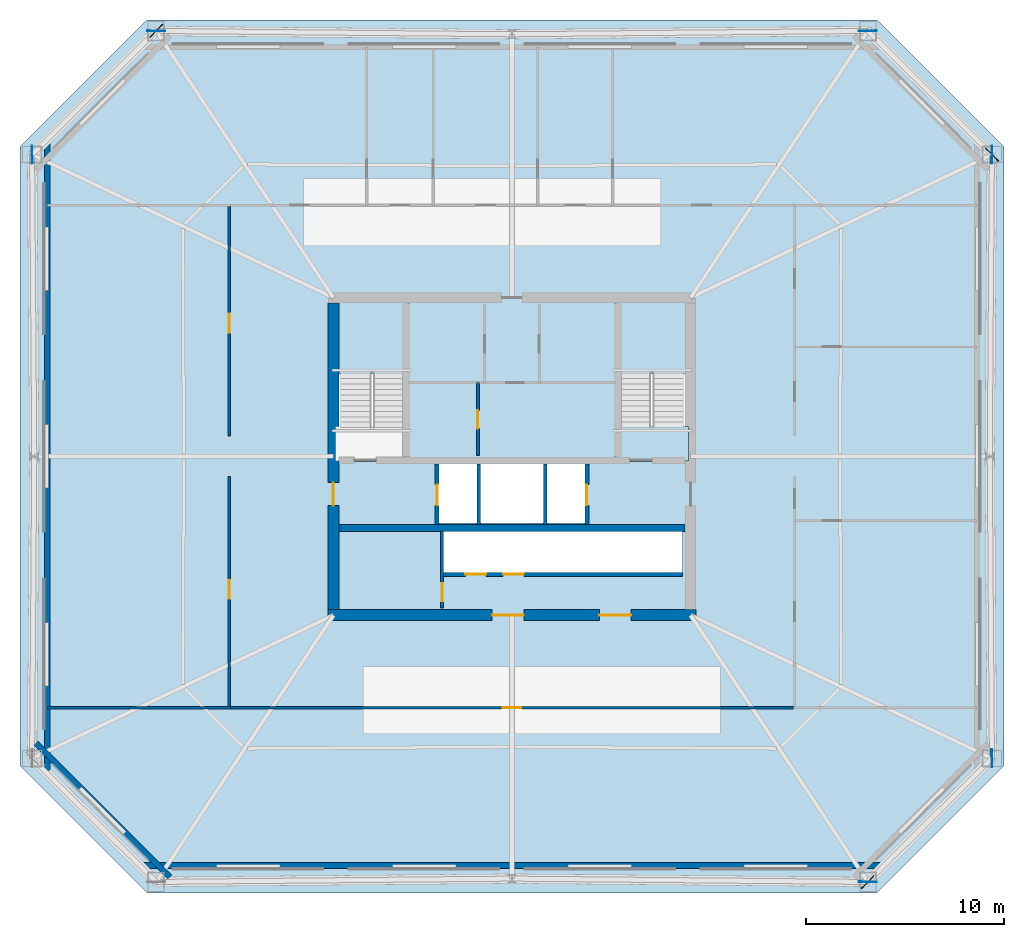
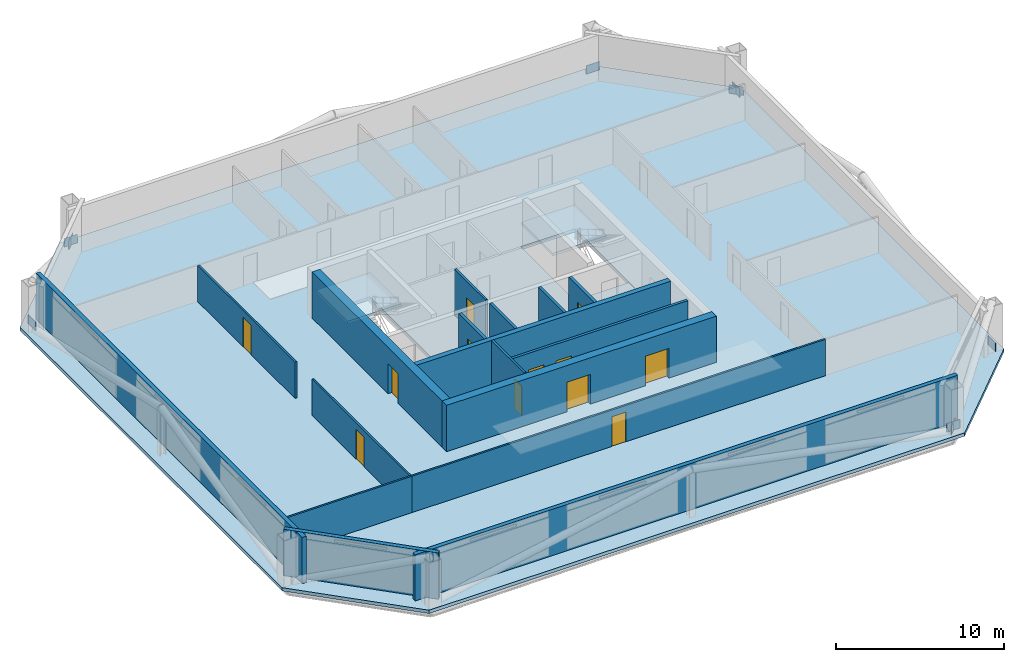
# One storey, part 2 of 6: 17 walls, 12 doors, 9 plates, 4 slabs, 12 openings, 2 elements without a shape of their own.
"""IFC4 building model written with IfcOpenShell, lengths in metres."""

import ifcopenshell
import ifcopenshell.guid

model = None  # the IFC model being written
_history = None  # IfcOwnerHistory: only IFC2X3 demands one
_inside = {}  # id of a spatial element -> (the spatial element, [elements in it])
_under = {}  # id of a project, library or spatial element -> (it, [spatial elements below it])
_declared = {}  # id of a project -> (the project, [libraries it declares])
_typed = {}  # id of a type object -> (the type object, [elements of that type])
_made_of = {}  # id of a material, layer set ... -> (it, [elements and type objects made of it])


def new_model(schema):
    """Start an empty IFC model of exactly this schema.

    Asked for "IFC4X3", IfcOpenShell would pick the latest addendum, in which some entities
    have other attributes; the version numbers below select the first issue.
    IFC2X3 requires an IfcOwnerHistory on every rooted entity: one is made here for all.
    """
    global model, _history
    if schema == "IFC4X3":
        model = ifcopenshell.file(schema_version=(4, 3, 0, 0))
    else:
        model = ifcopenshell.file(schema=schema)
    _inside.clear()
    _under.clear()
    _declared.clear()
    _typed.clear()
    _made_of.clear()
    _history = None
    if model.schema == "IFC2X3":
        org = make("IfcOrganization", Name="unknown")
        user = make(
            "IfcPersonAndOrganization",
            ThePerson=make("IfcPerson", FamilyName="unknown"),
            TheOrganization=org,
        )
        app = make(
            "IfcApplication",
            ApplicationDeveloper=org,
            Version="unknown",
            ApplicationFullName="unknown",
            ApplicationIdentifier="unknown",
        )
        _history = make(
            "IfcOwnerHistory",
            OwningUser=user,
            OwningApplication=app,
            ChangeAction="ADDED",
            CreationDate=0,
        )
    return model


def make(cls, **values):
    """One entity of the class cls with the attributes given. An attribute that is None is left unset."""
    return model.create_entity(
        cls, **{name: value for name, value in values.items() if value is not None}
    )


def rooted(cls, **values):
    """An entity with a GlobalId (a new one), such as an element, a storey or a relation."""
    return make(cls, GlobalId=ifcopenshell.guid.new(), OwnerHistory=_history, **values)


def si_unit(unit_type, name, prefix=None):
    """IfcSIUnit, for example si_unit("LENGTHUNIT", "METRE", prefix="MILLI")."""
    return make("IfcSIUnit", UnitType=unit_type, Prefix=prefix, Name=name)


def assignment(units):
    """IfcUnitAssignment: the units of a project."""
    return None if units is None else make("IfcUnitAssignment", Units=units)


def point(xyz):
    """IfcCartesianPoint."""
    return None if xyz is None else make("IfcCartesianPoint", Coordinates=xyz)


def direction(xyz):
    """IfcDirection."""
    return None if xyz is None else make("IfcDirection", DirectionRatios=xyz)


def frame(location, z_axis=None, x_axis=None):
    """IfcAxis2Placement3D, a coordinate frame: its origin and axes. An axis left out is left unset."""
    return make(
        "IfcAxis2Placement3D",
        Location=point(location),
        Axis=direction(z_axis),
        RefDirection=direction(x_axis),
    )


def frame_2d(location, x_axis=None):
    """IfcAxis2Placement2D, a coordinate frame in the plane: its origin and x axis."""
    return make(
        "IfcAxis2Placement2D", Location=point(location), RefDirection=direction(x_axis)
    )


def origin():
    """The frame at (0, 0, 0) with its axes left unset."""
    return frame((0.0, 0.0, 0.0))


def origin_2d():
    """The frame at (0, 0) in the plane with its x axis left unset."""
    return frame_2d((0.0, 0.0))


def place(relative_to, where):
    """IfcLocalPlacement: puts the frame where relative to a parent placement (None: the world)."""
    return make(
        "IfcLocalPlacement", PlacementRelTo=relative_to, RelativePlacement=where
    )


def context(
    kind, dimensions, precision=None, world=None, true_north=None, identifier=None
):
    """IfcGeometricRepresentationContext, for example the 3D "Model" context."""
    return make(
        "IfcGeometricRepresentationContext",
        ContextIdentifier=identifier,
        ContextType=kind,
        CoordinateSpaceDimension=dimensions,
        Precision=precision,
        WorldCoordinateSystem=world,
        TrueNorth=true_north,
    )


def subcontext(parent, identifier, kind, view, scale=None):
    """IfcGeometricRepresentationSubContext, for example "Body" below "Model"."""
    return make(
        "IfcGeometricRepresentationSubContext",
        ContextIdentifier=identifier,
        ContextType=kind,
        ParentContext=parent,
        TargetScale=scale,
        TargetView=view,
    )


def project(units=None, contexts=None):
    """IfcProject with its units and contexts."""
    return rooted(
        "IfcProject",
        Name="project",
        RepresentationContexts=contexts,
        UnitsInContext=assignment(units),
    )


def spatial(cls, under=None, at=None, **own):
    """A site, building, storey or space (cls), placed at a placement, below another one or the project."""
    s = rooted(cls, ObjectPlacement=at, **own)
    if under is not None:
        _under.setdefault(under.id(), (under, []))[1].append(s)
    return s


def polyline(points):
    """IfcPolyline through the points."""
    return make("IfcPolyline", Points=[point(p) for p in points])


def profile(cls, at=None, kind="AREA", **sizes):
    """A parametric profile (cls). Its sizes go by their IFC names, for example OverallWidth=200.0."""
    return make(cls, ProfileType=kind, Position=at, **sizes)


def rectangle(**sizes):
    """IfcRectangleProfileDef."""
    return profile("IfcRectangleProfileDef", **sizes)


def outline(outer, holes=None, kind="AREA"):
    """IfcArbitraryClosedProfileDef: a profile drawn as a closed curve; with holes, ...WithVoids."""
    if holes is None:
        return make("IfcArbitraryClosedProfileDef", ProfileType=kind, OuterCurve=outer)
    return make(
        "IfcArbitraryProfileDefWithVoids",
        ProfileType=kind,
        OuterCurve=outer,
        InnerCurves=holes,
    )


def extrude(swept, where, along, depth):
    """IfcExtrudedAreaSolid: the profile swept, set in the frame where, extruded along a direction by depth."""
    return make(
        "IfcExtrudedAreaSolid",
        SweptArea=swept,
        Position=where,
        ExtrudedDirection=direction(along),
        Depth=depth,
    )


def shape(context_of_items, identifier, shape_type, items):
    """IfcShapeRepresentation: the items that make up one representation, for example the "Body"."""
    return make(
        "IfcShapeRepresentation",
        ContextOfItems=context_of_items,
        RepresentationIdentifier=identifier,
        RepresentationType=shape_type,
        Items=items,
    )


def material(Name=None, Category=None):
    """IfcMaterial."""
    return make("IfcMaterial", Name=Name, Category=Category)


def layer(
    of_material, thickness, ventilated=None, Name=None, Category=None, Priority=None
):
    """IfcMaterialLayer: one layer of a wall or slab, of a material (None: an air gap)."""
    return make(
        "IfcMaterialLayer",
        Material=of_material,
        LayerThickness=thickness,
        IsVentilated=ventilated,
        Name=Name,
        Category=Category,
        Priority=Priority,
    )


def layer_set(layers, Name=None):
    """IfcMaterialLayerSet."""
    return make("IfcMaterialLayerSet", MaterialLayers=layers, LayerSetName=Name)


def made_of(thing, what):
    """Note that an element or type object is made of a material, layer set ...; save() writes the relation."""
    if what is not None:
        _made_of.setdefault(what.id(), (what, []))[1].append(thing)
    return thing


def type_object(cls, material=None, **own):
    """A type object (cls), such as IfcWallType, which elements share."""
    return made_of(rooted(cls, **own), material)


def element(
    cls,
    number,
    at=None,
    inside=None,
    cuts=None,
    type_object=None,
    material=None,
    context=None,
    identifier="Body",
    shape_type=None,
    held_by="IfcProductDefinitionShape",
    body=None,
    shapes=None,
    **own,
):
    """One element of the class cls, such as IfcWall. Its Tag is "e" and its number.

    at: its placement. inside: the storey or other place that contains it. cuts: it is an
    opening in that element (IfcRelVoidsElement). A single representation is given by context,
    identifier, shape_type and body (its items); several are given by shapes. held_by: the class
    of the entity that holds the representations. save() writes the other relations.
    """
    e = rooted(cls, Tag="e%d" % number, ObjectPlacement=at, **own)
    if body is not None:
        shapes = [shape(context, identifier, shape_type, body)]
    if shapes is not None:
        e.Representation = make(held_by, Representations=shapes)
    if inside is not None:
        _inside.setdefault(inside.id(), (inside, []))[1].append(e)
    if cuts is not None:
        rooted(
            "IfcRelVoidsElement", RelatingBuildingElement=cuts, RelatedOpeningElement=e
        )
    if type_object is not None:
        _typed.setdefault(type_object.id(), (type_object, []))[1].append(e)
    return made_of(e, material)


def fill(opening, filler):
    """IfcRelFillsElement: the door or window that sits in an opening."""
    return rooted(
        "IfcRelFillsElement",
        RelatingOpeningElement=opening,
        RelatedBuildingElement=filler,
    )


def aggregate(whole, parts):
    """IfcRelAggregates: a whole, such as a stair, and the parts it consists of."""
    return rooted("IfcRelAggregates", RelatingObject=whole, RelatedObjects=parts)


def save(model, path):
    """Write the relations noted so far, then the file.

    IfcRelAggregates (storeys below a building ...), IfcRelContainedInSpatialStructure (elements
    in a storey), IfcRelDefinesByType, IfcRelAssociatesMaterial and IfcRelDeclares: one each for
    every whole, place, type object, material and project.
    """
    for whole, parts in _under.values():
        aggregate(whole, parts)
    for where, things in _inside.values():
        rooted(
            "IfcRelContainedInSpatialStructure",
            RelatedElements=things,
            RelatingStructure=where,
        )
    for kind, things in _typed.values():
        rooted("IfcRelDefinesByType", RelatedObjects=things, RelatingType=kind)
    for what, things in _made_of.values():
        rooted("IfcRelAssociatesMaterial", RelatedObjects=things, RelatingMaterial=what)
    for by, libraries in _declared.values():
        rooted("IfcRelDeclares", RelatingContext=by, RelatedDefinitions=libraries)
    model.write(path)


model = new_model("IFC4")

# Units and contexts
model_context = context("Model", 3, precision=1e-05, world=origin(), true_north=direction((0.0, 1.0)))
body_context = subcontext(model_context, "Body", "Model", "MODEL_VIEW")
ifc_project = project(units=[si_unit("LENGTHUNIT", "METRE"), si_unit("AREAUNIT", "SQUARE_METRE"), si_unit("VOLUMEUNIT", "CUBIC_METRE"), si_unit("PLANEANGLEUNIT", "RADIAN"), si_unit("MASSUNIT", "GRAM", prefix="KILO")], contexts=[model_context])

# Site, building, storey
site_placement = place(None, origin())
site = spatial("IfcSite", under=ifc_project, at=site_placement, CompositionType="ELEMENT")
building_placement = place(site_placement, origin())
building = spatial("IfcBuilding", under=site, at=building_placement, Name="Caelvoria Tower", CompositionType="ELEMENT")
storey_placement = place(building_placement, frame((0.0, 0.0, 160.0)))
storey = spatial("IfcBuildingStorey", under=building, at=storey_placement, Name="L42", CompositionType="ELEMENT", Elevation=160.0)

# Plates
ifc_material_1 = material(Name="Structural Steel ASTM A572 Gr.50", Category="steel")
ifc_layer_1 = layer(ifc_material_1, 0.0400390625, Name="Structural Steel ASTM A572 Gr.50")
ifc_layer_set_1 = layer_set([ifc_layer_1], Name="Megaframe Node Gusset Plate 900x600x40 - Structural Steel ASTM A572 Gr.50")
plate_type = type_object("IfcPlateType", Name="Megaframe Node Gusset Plate 900x600x40", PredefinedType="USERDEFINED", material=ifc_layer_set_1)
for number, where, z_axis, x_axis, name in (
    (1, (63.93798828125, 10.55224609375, 0.02001953125), (0.0, 0.0, 1.0), (0.70831273368, 0.705898768456, 0.0), "Chamfer Mega Brace Gusset L42 SE"),
    (2, (70.1904296875, 47.216552734375, 0.02001953125), (0.0, 0.0, 1.0), (-0.70831273368, 0.705898768456, 0.0), "Chamfer Mega Brace Gusset L42 NE"),
    (3, (28.06201171875, 53.44775390625, 0.02001953125), (0.0, 0.0, 1.0), (-0.70831273368, -0.705898768456, 0.0), "Chamfer Mega Brace Gusset L42 NW"),
    (4, (63.93798828125, 10.55224609375, 0.050048828125), (0.0, 0.0, 1.0), (-0.999956307921, 0.009347847329, 0.0), "Megaframe Node Gusset Plate ND-01"),
    (5, (70.1904296875, 16.783447265625, 0.050048828125), (0.0, 0.0, 1.0), (-0.00726225118, 0.999973629506, 0.0), "Megaframe Node Gusset Plate ND-01"),
    (6, (70.1904296875, 47.216552734375, 0.050048828125), (0.0, 0.0, 1.0), (-0.00726225118, -0.999973629506, 0.0), "Megaframe Node Gusset Plate ND-01"),
    (7, (63.93798828125, 53.44775390625, 0.050048828125), (0.0, 0.0, 1.0), (-0.999956307921, -0.009347847329, 0.0), "Megaframe Node Gusset Plate ND-01"),
    (8, (28.06201171875, 53.44775390625, 0.050048828125), (0.0, 0.0, 1.0), (0.999956307921, -0.009347847329, 0.0), "Megaframe Node Gusset Plate ND-01"),
    (9, (21.8095703125, 47.216552734375, 0.050048828125), (0.0, 0.0, 1.0), (0.00726225118, -0.999973629506, 0.0), "Megaframe Node Gusset Plate ND-01"),
):
    element("IfcPlate", number, at=place(storey_placement, frame(where, z_axis=z_axis, x_axis=x_axis)), inside=storey, type_object=plate_type, Name=name, ObjectType="GUSSET_PLATE", PredefinedType="USERDEFINED", context=body_context, shape_type="SweptSolid", body=[
        extrude(rectangle(XDim=0.89990234375, YDim=0.0400390625, at=origin_2d()), origin(), (0.0, 0.0, 1.0), 0.60009765625),
    ])

# Stair, slab
ifc_material_2 = material(Name="Concrete C40/50", Category="concrete")
stair_type = type_object("IfcStairType", Name="Core Smokeproof Dogleg Stair Concrete C40/50", PredefinedType="HALF_TURN_STAIR", material=ifc_material_2)
stair_1_placement = place(storey_placement, origin())
stair_1 = element("IfcStair", 10, at=stair_1_placement, inside=storey, type_object=stair_type, Name="ST-01 Smokeproof Exit Stair L42", PredefinedType="HALF_TURN_STAIR")
ifc_layer_2 = layer(ifc_material_2, 0.199951171875, Name="Concrete C40/50")
ifc_layer_set_2 = layer_set([ifc_layer_2], Name="Stair Half and Floor Landing Slab 200 Concrete C40/50 - Concrete C40/50")
slab_type_1 = type_object("IfcSlabType", Name="Stair Half and Floor Landing Slab 200 Concrete C40/50", PredefinedType="LANDING", material=ifc_layer_set_2)
slab_1_placement = place(storey_placement, frame((0.0, 0.0, 1.60009765625)))
slab_1 = element("IfcSlab", 11, at=slab_1_placement, type_object=slab_type_1, Name="ST-01 landing 2", PredefinedType="LANDING", context=body_context, shape_type="SweptSolid", body=[
    extrude(outline(polyline([(37.10009765625, 36.14990234375), (40.800048828125, 36.14990234375), (40.800048828125, 39.89990234375), (37.10009765625, 39.89990234375), (37.10009765625, 36.14990234375)])), origin(), (0.0, 0.0, 1.0), 0.199951171875),
])
aggregate(stair_1, [slab_1])

# Stair, slabs
stair_2_placement = place(storey_placement, origin())
stair_2 = element("IfcStair", 12, at=stair_2_placement, inside=storey, type_object=stair_type, Name="ST-02 Smokeproof Exit Stair L42", PredefinedType="HALF_TURN_STAIR")
slab_2_placement = place(storey_placement, frame((0.0, 0.0, -0.199951171875)))
slab_2 = element("IfcSlab", 13, at=slab_2_placement, type_object=slab_type_1, Name="ST-02 landing 1", PredefinedType="LANDING", context=body_context, shape_type="SweptSolid", body=[
    extrude(outline(polyline([(51.199951171875, 31.77001953125), (54.89990234375, 31.77001953125), (54.89990234375, 33.5), (51.199951171875, 33.5), (51.199951171875, 31.77001953125)])), origin(), (0.0, 0.0, 1.0), 0.199951171875),
])
slab_3_placement = place(storey_placement, frame((0.0, 0.0, 1.60009765625)))
slab_3 = element("IfcSlab", 14, at=slab_3_placement, type_object=slab_type_1, Name="ST-02 landing 2", PredefinedType="LANDING", context=body_context, shape_type="SweptSolid", body=[
    extrude(outline(polyline([(51.199951171875, 36.14990234375), (54.89990234375, 36.14990234375), (54.89990234375, 39.89990234375), (51.199951171875, 39.89990234375), (51.199951171875, 36.14990234375)])), origin(), (0.0, 0.0, 1.0), 0.199951171875),
])
aggregate(stair_2, [slab_2, slab_3])

# Slab
ifc_layer_3 = layer(ifc_material_2, 0.239990234375, Name="Concrete C40/50")
ifc_layer_set_3 = layer_set([ifc_layer_3], Name="Tower Composite Office Slab 240 - Concrete C40/50")
slab_type_2 = type_object("IfcSlabType", Name="Tower Composite Office Slab 240", PredefinedType="FLOOR", material=ifc_layer_set_3)
slab_4_placement = place(storey_placement, frame((0.0, 0.0, -0.239990234375)))
element("IfcSlab", 15, at=slab_4_placement, inside=storey, type_object=slab_type_2, Name="Level L42 Structural Floor Slab", PredefinedType="FLOOR", context=body_context, shape_type="SweptSolid", body=[
    extrude(outline(polyline([(27.60009765625, 10.0), (64.39990234375, 10.0), (70.800048828125, 16.39990234375), (70.800048828125, 47.60009765625), (64.39990234375, 54.0), (27.60009765625, 54.0), (21.199951171875, 47.60009765625), (21.199951171875, 16.39990234375), (27.60009765625, 10.0)]), holes=[polyline([(37.080078125, 31.75), (40.820068359375, 31.75), (40.820068359375, 39.919921875), (37.080078125, 39.919921875), (37.080078125, 31.75)]), polyline([(51.179931640625, 31.75), (54.919921875, 31.75), (54.919921875, 39.919921875), (51.179931640625, 39.919921875), (51.179931640625, 31.75)]), polyline([(42.25, 28.64990234375), (49.75, 28.64990234375), (49.75, 31.800048828125), (42.25, 31.800048828125), (42.25, 28.64990234375)]), polyline([(42.550048828125, 26.14990234375), (54.60009765625, 26.14990234375), (54.60009765625, 28.25), (42.550048828125, 28.25), (42.550048828125, 26.14990234375)])]), origin(), (0.0, 0.0, 1.0), 0.239990234375),
])

# Wall
ifc_material_3 = material(Name="Concrete C50/60", Category="concrete")
ifc_layer_4 = layer(ifc_material_3, 0.35009765625, Name="Concrete C50/60")
ifc_layer_set_4 = layer_set([ifc_layer_4], Name="Core Internal Shear Wall 350 - Concrete C50/60")
wall_type_1 = type_object("IfcWallType", Name="Core Internal Shear Wall 350", PredefinedType="SHEAR", material=ifc_layer_set_4)
wall_1_placement = place(storey_placement, frame((37.27490234375, 28.39990234375, 0.0), z_axis=(0.0, 0.0, 1.0), x_axis=(1.0, 0.0, 0.0)))
element("IfcWall", 16, at=wall_1_placement, inside=storey, type_object=wall_type_1, Name="Core Shear Wall L42 M2", PredefinedType="SHEAR", context=body_context, shape_type="SweptSolid", body=[
    extrude(rectangle(XDim=17.4501953125, YDim=0.35009765625, at=frame_2d((8.72509765625, 0.0))), origin(), (0.0, 0.0, 1.0), 3.360107421875),
])

# Wall, opening, door
ifc_material_4 = material(Name="Double Gypsum Board on Steel Stud", Category="steel")
ifc_layer_5 = layer(ifc_material_4, 0.14990234375, Name="Double Gypsum Board on Steel Stud")
ifc_layer_set_5 = layer_set([ifc_layer_5], Name="Core Service Acoustic Partition Wall 150 - Double Gypsum Board on Steel Stud")
wall_type_2 = type_object("IfcWallType", Name="Core Service Acoustic Partition Wall 150", PredefinedType="PARTITIONING", material=ifc_layer_set_5)
wall_2_placement = place(storey_placement, frame((44.280029296875, 32.050048828125, 0.0), z_axis=(0.0, 0.0, 1.0), x_axis=(0.0, 1.0, 0.0)))
wall_2 = element("IfcWall", 17, at=wall_2_placement, inside=storey, type_object=wall_type_2, Name="Interior Partition IW-L42-C0M", PredefinedType="PARTITIONING", context=body_context, shape_type="SweptSolid", body=[
    extrude(rectangle(XDim=3.669921875, YDim=0.14990234375, at=frame_2d((1.8349609375, 0.0))), origin(), (0.0, 0.0, 1.0), 3.360107421875),
])
opening_1_placement = place(wall_2_placement, frame((1.35009765625, 0.0, 0.0)))
opening_1 = element("IfcOpeningElement", 18, at=opening_1_placement, cuts=wall_2, Name="Opening ID-07", PredefinedType="OPENING", context=body_context, shape_type="SweptSolid", body=[
    extrude(rectangle(XDim=0.919921875, YDim=2.14990234375, at=frame_2d((0.4599609375, 1.074951171875))), frame((0.0, 0.0849609375, 0.0), z_axis=(0.0, -1.0, 0.0), x_axis=(1.0, 0.0, 0.0)), (0.0, 0.0, 1.0), 0.169921875),
])
ifc_material_5 = material(Name="Engineered Andean Oak Accessible Door", Category="wood")
door_type_1 = type_object("IfcDoorType", Name="Accessible WC Door 950x2150", OperationType="NOTDEFINED", PredefinedType="DOOR", material=ifc_material_5)
door_1_placement = place(opening_1_placement, origin())
door_1 = element("IfcDoor", 19, at=door_1_placement, inside=storey, type_object=door_type_1, Name="Interior Door DR-L42-C05", OperationType="SINGLE_SWING_LEFT", OverallHeight=2.14990234375, OverallWidth=0.919921875, PredefinedType="DOOR", context=body_context, shape_type="SweptSolid", body=[
    extrude(rectangle(XDim=0.919921875, YDim=2.14990234375, at=frame_2d((0.4599609375, 1.074951171875))), frame((0.0, 0.02490234375, 0.0), z_axis=(0.0, -1.0, 0.0), x_axis=(1.0, 0.0, 0.0)), (0.0, 0.0, 1.0), 0.050048828125),
])
fill(opening_1, door_1)

wall_3_placement = place(storey_placement, frame((42.47998046875, 24.35009765625, 0.0), z_axis=(0.0, 0.0, 1.0), x_axis=(0.0, 1.0, 0.0)))
wall_3 = element("IfcWall", 20, at=wall_3_placement, inside=storey, type_object=wall_type_2, Name="Interior Partition IW-L42-RECL1E", PredefinedType="PARTITIONING", context=body_context, shape_type="SweptSolid", body=[
    extrude(rectangle(XDim=3.89990234375, YDim=0.14990234375, at=frame_2d((1.949951171875, 0.0))), origin(), (0.0, 0.0, 1.0), 3.360107421875),
])
opening_2_placement = place(wall_3_placement, frame((0.35009765625, 0.0, 0.0)))
opening_2 = element("IfcOpeningElement", 21, at=opening_2_placement, cuts=wall_3, Name="Opening ID-04", PredefinedType="OPENING", context=body_context, shape_type="SweptSolid", body=[
    extrude(rectangle(XDim=0.89990234375, YDim=2.14990234375, at=frame_2d((0.449951171875, 1.074951171875))), frame((0.0, 0.0849609375, 0.0), z_axis=(0.0, -1.0, 0.0), x_axis=(1.0, 0.0, 0.0)), (0.0, 0.0, 1.0), 0.169921875),
])
ifc_material_6 = material(Name="Acoustic Timber Fire Door", Category="wood")
door_type_2 = type_object("IfcDoorType", Name="Fire Door FD30S 900x2150", OperationType="NOTDEFINED", PredefinedType="DOOR", material=ifc_material_6)
door_2_placement = place(opening_2_placement, origin())
door_2 = element("IfcDoor", 22, at=door_2_placement, inside=storey, type_object=door_type_2, Name="Interior Door DR-L42-RECL1", OperationType="SINGLE_SWING_LEFT", OverallHeight=2.14990234375, OverallWidth=0.89990234375, PredefinedType="DOOR", context=body_context, shape_type="SweptSolid", body=[
    extrude(rectangle(XDim=0.89990234375, YDim=2.14990234375, at=frame_2d((0.449951171875, 1.074951171875))), frame((0.0, 0.02490234375, 0.0), z_axis=(0.0, -1.0, 0.0), x_axis=(1.0, 0.0, 0.0)), (0.0, 0.0, 1.0), 0.050048828125),
])
fill(opening_2, door_2)

# Walls
ifc_material_7 = material(Name="Precast Concrete C40/50 with Bronze Cladding", Category="concrete")
ifc_layer_6 = layer(ifc_material_7, 0.280029296875, Name="Precast Concrete C40/50 with Bronze Cladding")
ifc_layer_set_6 = layer_set([ifc_layer_6], Name="Exterior Precast Concrete C40/50 Bronze-Clad Facade Wall 280 - Precast Concrete C40/50 with Bronze Cladding")
wall_type_3 = type_object("IfcWallType", Name="Exterior Precast Concrete C40/50 Bronze-Clad Facade Wall 280", PredefinedType="STANDARD", material=ifc_layer_set_6)
wall_4_placement = place(storey_placement, frame((27.360107421875, 11.3798828125, 0.0), z_axis=(0.0, 0.0, 1.0), x_axis=(1.0, 0.0, 0.0)))
element("IfcWall", 23, at=wall_4_placement, inside=storey, type_object=wall_type_3, Name="Exterior Facade Wall L42-E0", PredefinedType="STANDARD", context=body_context, shape_type="SweptSolid", body=[
    extrude(rectangle(XDim=37.27978515625, YDim=0.280029296875, at=frame_2d((18.639892578125, 0.0))), origin(), (0.0, 0.0, 1.0), 3.360107421875),
])
wall_5_placement = place(storey_placement, frame((22.580078125, 47.840087890625, 0.0), z_axis=(0.0, 0.0, 1.0), x_axis=(0.0, -1.0, 0.0)))
element("IfcWall", 24, at=wall_5_placement, inside=storey, type_object=wall_type_3, Name="Exterior Facade Wall L42-E6", PredefinedType="STANDARD", context=body_context, shape_type="SweptSolid", body=[
    extrude(rectangle(XDim=31.68017578125, YDim=0.280029296875, at=frame_2d((15.840087890625, 0.0))), origin(), (0.0, 0.0, 1.0), 3.360107421875),
])
wall_6_placement = place(storey_placement, frame((22.006103515625, 17.54541015625, 0.0), z_axis=(0.0, 0.0, 1.0), x_axis=(0.707119588888, -0.707093973253, 0.0)))
element("IfcWall", 25, at=wall_6_placement, inside=storey, type_object=wall_type_3, Name="Exterior Facade Wall L42-E7", PredefinedType="STANDARD", context=body_context, shape_type="SweptSolid", body=[
    extrude(rectangle(XDim=9.531005859375, YDim=0.280029296875, at=frame_2d((4.765625, 0.0))), origin(), (0.0, 0.0, 1.0), 3.360107421875),
])
ifc_material_8 = material(Name="Concrete Block and Fireboard Assembly", Category="concrete")
ifc_layer_7 = layer(ifc_material_8, 0.179931640625, Name="Concrete Block and Fireboard Assembly")
ifc_layer_set_7 = layer_set([ifc_layer_7], Name="Fire-Rated Hoistway Partition Wall 180 - Concrete Block and Fireboard Assembly")
wall_type_4 = type_object("IfcWallType", Name="Fire-Rated Hoistway Partition Wall 180", PredefinedType="PARTITIONING", material=ifc_layer_set_7)
for number, where, z_axis, x_axis, name in (
    (26, (44.320068359375, 28.580078125, 0.0), (0.0, 0.0, 1.0), (0.0, 1.0, 0.0), "Interior Partition IW-L42-SV1W"),
    (27, (47.679931640625, 28.580078125, 0.0), (0.0, 0.0, 1.0), (0.0, 1.0, 0.0), "Interior Partition IW-L42-SV1E"),
):
    element("IfcWall", number, at=place(storey_placement, frame(where, z_axis=z_axis, x_axis=x_axis)), inside=storey, type_object=wall_type_4, Name=name, PredefinedType="PARTITIONING", context=body_context, shape_type="SweptSolid", body=[
        extrude(rectangle(XDim=3.0400390625, YDim=0.179931640625, at=frame_2d((1.52001953125, 0.0))), origin(), (0.0, 0.0, 1.0), 3.360107421875),
    ])

# Wall, openings, doors
wall_7_placement = place(storey_placement, frame((42.550048828125, 26.050048828125, 0.0), z_axis=(0.0, 0.0, 1.0), x_axis=(1.0, 0.0, 0.0)))
wall_7 = element("IfcWall", 28, at=wall_7_placement, inside=storey, type_object=wall_type_4, Name="Interior Partition IW-L42-LFRONT", PredefinedType="PARTITIONING", context=body_context, shape_type="SweptSolid", body=[
    extrude(rectangle(XDim=12.050048828125, YDim=0.179931640625, at=frame_2d((6.02490234375, 0.0))), origin(), (0.0, 0.0, 1.0), 3.360107421875),
])
opening_3_placement = place(wall_7_placement, frame((1.10009765625, 0.0, 0.0)))
opening_3 = element("IfcOpeningElement", 29, at=opening_3_placement, cuts=wall_7, Name="Opening LD-01", PredefinedType="OPENING", context=body_context, shape_type="SweptSolid", body=[
    extrude(rectangle(XDim=1.050048828125, YDim=2.14990234375, at=frame_2d((0.52490234375, 1.074951171875))), frame((0.0, 0.099853515625, 0.0), z_axis=(0.0, -1.0, 0.0), x_axis=(1.0, 0.0, 0.0)), (0.0, 0.0, 1.0), 0.199951171875),
])
opening_4_placement = place(wall_7_placement, frame((3.0, 0.0, 0.0)))
opening_4 = element("IfcOpeningElement", 30, at=opening_4_placement, cuts=wall_7, Name="Opening LD-01", PredefinedType="OPENING", context=body_context, shape_type="SweptSolid", body=[
    extrude(rectangle(XDim=1.050048828125, YDim=2.14990234375, at=frame_2d((0.52490234375, 1.074951171875))), frame((0.0, 0.099853515625, 0.0), z_axis=(0.0, -1.0, 0.0), x_axis=(1.0, 0.0, 0.0)), (0.0, 0.0, 1.0), 0.199951171875),
])
ifc_material_9 = material(Name="Brushed Bronze Stainless Sliding Landing Door", Category="aluminium")
door_type_3 = type_object("IfcDoorType", Name="Lift Landing Sliding Door 1100x2150", OperationType="NOTDEFINED", PredefinedType="DOOR", material=ifc_material_9)
door_3_placement = place(opening_3_placement, origin())
door_3 = element("IfcDoor", 31, at=door_3_placement, inside=storey, type_object=door_type_3, Name="Interior Door LD-L42-PM1", OperationType="SLIDING_TO_LEFT", OverallHeight=2.14990234375, OverallWidth=1.050048828125, PredefinedType="DOOR", context=body_context, shape_type="SweptSolid", body=[
    extrude(rectangle(XDim=1.050048828125, YDim=2.14990234375, at=frame_2d((0.52490234375, 1.074951171875))), frame((0.0, 0.02490234375, 0.0), z_axis=(0.0, -1.0, 0.0), x_axis=(1.0, 0.0, 0.0)), (0.0, 0.0, 1.0), 0.050048828125),
])
fill(opening_3, door_3)
door_4_placement = place(opening_4_placement, origin())
door_4 = element("IfcDoor", 32, at=door_4_placement, inside=storey, type_object=door_type_3, Name="Interior Door LD-L42-PM2", OperationType="SLIDING_TO_RIGHT", OverallHeight=2.14990234375, OverallWidth=1.050048828125, PredefinedType="DOOR", context=body_context, shape_type="SweptSolid", body=[
    extrude(rectangle(XDim=1.050048828125, YDim=2.14990234375, at=frame_2d((0.52490234375, 1.074951171875))), frame((0.0, 0.02490234375, 0.0), z_axis=(0.0, -1.0, 0.0), x_axis=(1.0, 0.0, 0.0)), (0.0, 0.0, 1.0), 0.050048828125),
])
fill(opening_4, door_4)

# Wall, opening, door
ifc_layer_8 = layer(ifc_material_8, 0.199951171875, Name="Concrete Block and Fireboard Assembly")
ifc_layer_set_8 = layer_set([ifc_layer_8], Name="Fire-Rated Shaft and Core Partition Wall 200 - Concrete Block and Fireboard Assembly")
wall_type_5 = type_object("IfcWallType", Name="Fire-Rated Shaft and Core Partition Wall 200", PredefinedType="PARTITIONING", material=ifc_layer_set_8)
wall_8_placement = place(storey_placement, frame((42.219970703125, 28.580078125, 0.0), z_axis=(0.0, 0.0, 1.0), x_axis=(0.0, 1.0, 0.0)))
wall_8 = element("IfcWall", 33, at=wall_8_placement, inside=storey, type_object=wall_type_5, Name="Interior Partition IW-L42-LF1W", PredefinedType="PARTITIONING", context=body_context, shape_type="SweptSolid", body=[
    extrude(rectangle(XDim=3.0400390625, YDim=0.199951171875, at=frame_2d((1.52001953125, 0.0))), origin(), (0.0, 0.0, 1.0), 3.360107421875),
])
opening_5_placement = place(wall_8_placement, frame((0.949951171875, 0.0, 0.0)))
opening_5 = element("IfcOpeningElement", 34, at=opening_5_placement, cuts=wall_8, Name="Opening LD-01", PredefinedType="OPENING", context=body_context, shape_type="SweptSolid", body=[
    extrude(rectangle(XDim=1.050048828125, YDim=2.14990234375, at=frame_2d((0.52490234375, 1.074951171875))), frame((0.0, 0.10986328125, 0.0), z_axis=(0.0, -1.0, 0.0), x_axis=(1.0, 0.0, 0.0)), (0.0, 0.0, 1.0), 0.219970703125),
])
door_5_placement = place(opening_5_placement, origin())
door_5 = element("IfcDoor", 35, at=door_5_placement, inside=storey, type_object=door_type_3, Name="Interior Door LD-L42-LF1", OperationType="SLIDING_TO_LEFT", OverallHeight=2.14990234375, OverallWidth=1.050048828125, PredefinedType="DOOR", context=body_context, shape_type="SweptSolid", body=[
    extrude(rectangle(XDim=1.050048828125, YDim=2.14990234375, at=frame_2d((0.52490234375, 1.074951171875))), frame((0.0, 0.02490234375, 0.0), z_axis=(0.0, -1.0, 0.0), x_axis=(1.0, 0.0, 0.0)), (0.0, 0.0, 1.0), 0.050048828125),
])
fill(opening_5, door_5)

wall_9_placement = place(storey_placement, frame((49.780029296875, 28.580078125, 0.0), z_axis=(0.0, 0.0, 1.0), x_axis=(0.0, 1.0, 0.0)))
wall_9 = element("IfcWall", 36, at=wall_9_placement, inside=storey, type_object=wall_type_5, Name="Interior Partition IW-L42-LF2E", PredefinedType="PARTITIONING", context=body_context, shape_type="SweptSolid", body=[
    extrude(rectangle(XDim=3.0400390625, YDim=0.199951171875, at=frame_2d((1.52001953125, 0.0))), origin(), (0.0, 0.0, 1.0), 3.360107421875),
])
opening_6_placement = place(wall_9_placement, frame((0.949951171875, 0.0, 0.0)))
opening_6 = element("IfcOpeningElement", 37, at=opening_6_placement, cuts=wall_9, Name="Opening LD-01", PredefinedType="OPENING", context=body_context, shape_type="SweptSolid", body=[
    extrude(rectangle(XDim=1.050048828125, YDim=2.14990234375, at=frame_2d((0.52490234375, 1.074951171875))), frame((0.0, 0.10986328125, 0.0), z_axis=(0.0, -1.0, 0.0), x_axis=(1.0, 0.0, 0.0)), (0.0, 0.0, 1.0), 0.219970703125),
])
door_6_placement = place(opening_6_placement, origin())
door_6 = element("IfcDoor", 38, at=door_6_placement, inside=storey, type_object=door_type_3, Name="Interior Door LD-L42-LF2", OperationType="SLIDING_TO_RIGHT", OverallHeight=2.14990234375, OverallWidth=1.050048828125, PredefinedType="DOOR", context=body_context, shape_type="SweptSolid", body=[
    extrude(rectangle(XDim=1.050048828125, YDim=2.14990234375, at=frame_2d((0.52490234375, 1.074951171875))), frame((0.0, 0.02490234375, 0.0), z_axis=(0.0, -1.0, 0.0), x_axis=(1.0, 0.0, 0.0)), (0.0, 0.0, 1.0), 0.050048828125),
])
fill(opening_6, door_6)

# Wall, openings, doors
ifc_material_10 = material(Name="Concrete C55/67", Category="concrete")
ifc_layer_9 = layer(ifc_material_10, 0.550048828125, Name="Concrete C55/67")
ifc_layer_set_9 = layer_set([ifc_layer_9], Name="Mid Core Shear Wall 550 - Concrete C55/67")
wall_type_6 = type_object("IfcWallType", Name="Mid Core Shear Wall 550", PredefinedType="SHEAR", material=ifc_layer_set_9)
wall_10_placement = place(storey_placement, frame((36.72509765625, 24.0, 0.0), z_axis=(0.0, 0.0, 1.0), x_axis=(1.0, 0.0, 0.0)))
wall_10 = element("IfcWall", 39, at=wall_10_placement, inside=storey, type_object=wall_type_6, Name="Core Shear Wall L42 S", PredefinedType="SHEAR", context=body_context, shape_type="SweptSolid", body=[
    extrude(rectangle(XDim=18.5498046875, YDim=0.550048828125, at=frame_2d((9.27490234375, 0.0))), origin(), (0.0, 0.0, 1.0), 3.360107421875),
])
opening_7_placement = place(wall_10_placement, frame((8.27490234375, 0.0, 0.0)))
opening_7 = element("IfcOpeningElement", 40, at=opening_7_placement, cuts=wall_10, Name="Opening ID-08", PredefinedType="OPENING", context=body_context, shape_type="SweptSolid", body=[
    extrude(rectangle(XDim=1.60009765625, YDim=2.14990234375, at=frame_2d((0.800048828125, 1.074951171875))), frame((0.0, 0.284912109375, 0.0), z_axis=(0.0, -1.0, 0.0), x_axis=(1.0, 0.0, 0.0)), (0.0, 0.0, 1.0), 0.570068359375),
])
opening_8_placement = place(wall_10_placement, frame((13.675048828125, 0.0, 0.0)))
opening_8 = element("IfcOpeningElement", 41, at=opening_8_placement, cuts=wall_10, Name="Opening ID-08", PredefinedType="OPENING", context=body_context, shape_type="SweptSolid", body=[
    extrude(rectangle(XDim=1.60009765625, YDim=2.14990234375, at=frame_2d((0.800048828125, 1.074951171875))), frame((0.0, 0.284912109375, 0.0), z_axis=(0.0, -1.0, 0.0), x_axis=(1.0, 0.0, 0.0)), (0.0, 0.0, 1.0), 0.570068359375),
])
ifc_material_11 = material(Name="Bronze-Framed Fire-Rated Glazed Double Door", Category="aluminium")
door_type_4 = type_object("IfcDoorType", Name="Double Lobby Glazed Door 1600x2200", OperationType="NOTDEFINED", PredefinedType="DOOR", material=ifc_material_11)
door_7_placement = place(opening_7_placement, origin())
door_7 = element("IfcDoor", 42, at=door_7_placement, inside=storey, type_object=door_type_4, Name="Core Door DR-L42-LLOB-S1", OperationType="DOUBLE_DOOR_SINGLE_SWING", OverallHeight=2.14990234375, OverallWidth=1.60009765625, PredefinedType="DOOR", context=body_context, shape_type="SweptSolid", body=[
    extrude(rectangle(XDim=1.60009765625, YDim=2.14990234375, at=frame_2d((0.800048828125, 1.074951171875))), frame((0.0, 0.02490234375, 0.0), z_axis=(0.0, -1.0, 0.0), x_axis=(1.0, 0.0, 0.0)), (0.0, 0.0, 1.0), 0.050048828125),
])
fill(opening_7, door_7)
door_8_placement = place(opening_8_placement, origin())
door_8 = element("IfcDoor", 43, at=door_8_placement, inside=storey, type_object=door_type_4, Name="Core Door DR-L42-LLOB-S2", OperationType="DOUBLE_DOOR_SINGLE_SWING", OverallHeight=2.14990234375, OverallWidth=1.60009765625, PredefinedType="DOOR", context=body_context, shape_type="SweptSolid", body=[
    extrude(rectangle(XDim=1.60009765625, YDim=2.14990234375, at=frame_2d((0.800048828125, 1.074951171875))), frame((0.0, 0.02490234375, 0.0), z_axis=(0.0, -1.0, 0.0), x_axis=(1.0, 0.0, 0.0)), (0.0, 0.0, 1.0), 0.050048828125),
])
fill(opening_8, door_8)

# Wall, opening, door
wall_11_placement = place(storey_placement, frame((37.0, 24.27490234375, 0.0), z_axis=(0.0, 0.0, 1.0), x_axis=(0.0, 1.0, 0.0)))
wall_11 = element("IfcWall", 44, at=wall_11_placement, inside=storey, type_object=wall_type_6, Name="Core Shear Wall L42 W", PredefinedType="SHEAR", context=body_context, shape_type="SweptSolid", body=[
    extrude(rectangle(XDim=15.4501953125, YDim=0.550048828125, at=frame_2d((7.72509765625, 0.0))), origin(), (0.0, 0.0, 1.0), 3.360107421875),
])
opening_9_placement = place(wall_11_placement, frame((5.25, 0.0, 0.0)))
opening_9 = element("IfcOpeningElement", 45, at=opening_9_placement, cuts=wall_11, Name="Opening ID-02", PredefinedType="OPENING", context=body_context, shape_type="SweptSolid", body=[
    extrude(rectangle(XDim=1.14990234375, YDim=2.14990234375, at=frame_2d((0.574951171875, 1.074951171875))), frame((0.0, 0.284912109375, 0.0), z_axis=(0.0, -1.0, 0.0), x_axis=(1.0, 0.0, 0.0)), (0.0, 0.0, 1.0), 0.570068359375),
])
ifc_material_12 = material(Name="Painted Hollow Steel Fire Door", Category="steel")
door_type_5 = type_object("IfcDoorType", Name="Fire Door FD60S 1150x2150", OperationType="NOTDEFINED", PredefinedType="DOOR", material=ifc_material_12)
door_9_placement = place(opening_9_placement, origin())
door_9 = element("IfcDoor", 46, at=door_9_placement, inside=storey, type_object=door_type_5, Name="Core Door DR-L42-FFLW-OUT", OperationType="SINGLE_SWING_LEFT", OverallHeight=2.14990234375, OverallWidth=1.14990234375, PredefinedType="DOOR", context=body_context, shape_type="SweptSolid", body=[
    extrude(rectangle(XDim=1.14990234375, YDim=2.14990234375, at=frame_2d((0.574951171875, 1.074951171875))), frame((0.0, 0.02490234375, 0.0), z_axis=(0.0, -1.0, 0.0), x_axis=(1.0, 0.0, 0.0)), (0.0, 0.0, 1.0), 0.050048828125),
])
fill(opening_9, door_9)

ifc_material_13 = material(Name="Acoustic Gypsum Board on Light-Gauge Stud", Category="gypsum")
ifc_layer_10 = layer(ifc_material_13, 0.1201171875, Name="Acoustic Gypsum Board on Light-Gauge Stud")
ifc_layer_set_10 = layer_set([ifc_layer_10], Name="Tenant Suite Acoustic Partition Wall 120 - Acoustic Gypsum Board on Light-Gauge Stud")
wall_type_7 = type_object("IfcWallType", Name="Tenant Suite Acoustic Partition Wall 120", PredefinedType="PARTITIONING", material=ifc_layer_set_10)
wall_12_placement = place(storey_placement, frame((31.800048828125, 19.340087890625, 0.0), z_axis=(0.0, 0.0, 1.0), x_axis=(1.0, 0.0, 0.0)))
wall_12 = element("IfcWall", 47, at=wall_12_placement, inside=storey, type_object=wall_type_7, Name="Interior Partition IW-L42-SCW-0", PredefinedType="PARTITIONING", context=body_context, shape_type="SweptSolid", body=[
    extrude(rectangle(XDim=28.39990234375, YDim=0.1201171875, at=frame_2d((14.199951171875, 0.0))), origin(), (0.0, 0.0, 1.0), 2.639892578125),
])
opening_10_placement = place(wall_12_placement, frame((13.72509765625, 0.0, 0.0)))
opening_10 = element("IfcOpeningElement", 48, at=opening_10_placement, cuts=wall_12, Name="Opening ID-05", PredefinedType="OPENING", context=body_context, shape_type="SweptSolid", body=[
    extrude(rectangle(XDim=0.949951171875, YDim=2.14990234375, at=frame_2d((0.47509765625, 1.074951171875))), frame((0.0, 0.070068359375, 0.0), z_axis=(0.0, -1.0, 0.0), x_axis=(1.0, 0.0, 0.0)), (0.0, 0.0, 1.0), 0.14013671875),
])
ifc_material_14 = material(Name="Engineered Andean Oak Veneer Door", Category="wood")
door_type_6 = type_object("IfcDoorType", Name="Interior Timber Door 950x2150", OperationType="NOTDEFINED", PredefinedType="DOOR", material=ifc_material_14)
door_10_placement = place(opening_10_placement, origin())
door_10 = element("IfcDoor", 49, at=door_10_placement, inside=storey, type_object=door_type_6, Name="Interior Door DR-L42-SC-00-0", OperationType="SINGLE_SWING_LEFT", OverallHeight=2.14990234375, OverallWidth=0.949951171875, PredefinedType="DOOR", context=body_context, shape_type="SweptSolid", body=[
    extrude(rectangle(XDim=0.949951171875, YDim=2.14990234375, at=frame_2d((0.47509765625, 1.074951171875))), frame((0.0, 0.02490234375, 0.0), z_axis=(0.0, -1.0, 0.0), x_axis=(1.0, 0.0, 0.0)), (0.0, 0.0, 1.0), 0.050048828125),
])
fill(opening_10, door_10)

wall_13_placement = place(storey_placement, frame((31.739990234375, 19.39990234375, 0.0), z_axis=(0.0, 0.0, 1.0), x_axis=(0.0, 1.0, 0.0)))
wall_13 = element("IfcWall", 50, at=wall_13_placement, inside=storey, type_object=wall_type_7, Name="Interior Partition IW-L42-WCW-0", PredefinedType="PARTITIONING", context=body_context, shape_type="SweptSolid", body=[
    extrude(rectangle(XDim=11.580078125, YDim=0.1201171875, at=frame_2d((5.7900390625, 0.0))), origin(), (0.0, 0.0, 1.0), 2.639892578125),
])
opening_11_placement = place(wall_13_placement, frame((5.4150390625, 0.0, 0.0)))
opening_11 = element("IfcOpeningElement", 51, at=opening_11_placement, cuts=wall_13, Name="Opening ID-05", PredefinedType="OPENING", context=body_context, shape_type="SweptSolid", body=[
    extrude(rectangle(XDim=0.949951171875, YDim=2.14990234375, at=frame_2d((0.47509765625, 1.074951171875))), frame((0.0, 0.070068359375, 0.0), z_axis=(0.0, -1.0, 0.0), x_axis=(1.0, 0.0, 0.0)), (0.0, 0.0, 1.0), 0.14013671875),
])
door_11_placement = place(opening_11_placement, origin())
door_11 = element("IfcDoor", 52, at=door_11_placement, inside=storey, type_object=door_type_6, Name="Interior Door DR-L42-WC-00-1", OperationType="SINGLE_SWING_RIGHT", OverallHeight=2.14990234375, OverallWidth=0.949951171875, PredefinedType="DOOR", context=body_context, shape_type="SweptSolid", body=[
    extrude(rectangle(XDim=0.949951171875, YDim=2.14990234375, at=frame_2d((0.47509765625, 1.074951171875))), frame((0.0, 0.02490234375, 0.0), z_axis=(0.0, -1.0, 0.0), x_axis=(1.0, 0.0, 0.0)), (0.0, 0.0, 1.0), 0.050048828125),
])
fill(opening_11, door_11)

wall_14_placement = place(storey_placement, frame((31.739990234375, 33.02001953125, 0.0), z_axis=(0.0, 0.0, 1.0), x_axis=(0.0, 1.0, 0.0)))
wall_14 = element("IfcWall", 53, at=wall_14_placement, inside=storey, type_object=wall_type_7, Name="Interior Partition IW-L42-WCW-1", PredefinedType="PARTITIONING", context=body_context, shape_type="SweptSolid", body=[
    extrude(rectangle(XDim=11.580078125, YDim=0.1201171875, at=frame_2d((5.7900390625, 0.0))), origin(), (0.0, 0.0, 1.0), 2.639892578125),
])
opening_12_placement = place(wall_14_placement, frame((5.215087890625, 0.0, 0.0)))
opening_12 = element("IfcOpeningElement", 54, at=opening_12_placement, cuts=wall_14, Name="Opening ID-05", PredefinedType="OPENING", context=body_context, shape_type="SweptSolid", body=[
    extrude(rectangle(XDim=0.949951171875, YDim=2.14990234375, at=frame_2d((0.47509765625, 1.074951171875))), frame((0.0, 0.070068359375, 0.0), z_axis=(0.0, -1.0, 0.0), x_axis=(1.0, 0.0, 0.0)), (0.0, 0.0, 1.0), 0.14013671875),
])
door_12_placement = place(opening_12_placement, origin())
door_12 = element("IfcDoor", 55, at=door_12_placement, inside=storey, type_object=door_type_6, Name="Interior Door DR-L42-WC-00-0", OperationType="SINGLE_SWING_LEFT", OverallHeight=2.14990234375, OverallWidth=0.949951171875, PredefinedType="DOOR", context=body_context, shape_type="SweptSolid", body=[
    extrude(rectangle(XDim=0.949951171875, YDim=2.14990234375, at=frame_2d((0.47509765625, 1.074951171875))), frame((0.0, 0.02490234375, 0.0), z_axis=(0.0, -1.0, 0.0), x_axis=(1.0, 0.0, 0.0)), (0.0, 0.0, 1.0), 0.050048828125),
])
fill(opening_12, door_12)

# Wall
wall_15_placement = place(storey_placement, frame((31.800048828125, 19.340087890625, 0.0), z_axis=(0.0, 0.0, 1.0), x_axis=(-1.0, 0.0, 0.0)))
element("IfcWall", 56, at=wall_15_placement, inside=storey, type_object=wall_type_7, Name="Interior Partition IW-L42-BSW-0", PredefinedType="PARTITIONING", context=body_context, shape_type="SweptSolid", body=[
    extrude(rectangle(XDim=9.219970703125, YDim=0.1201171875, at=frame_2d((4.60986328125, 0.0))), origin(), (0.0, 0.0, 1.0), 2.639892578125),
])

save(model, "model.ifc")
